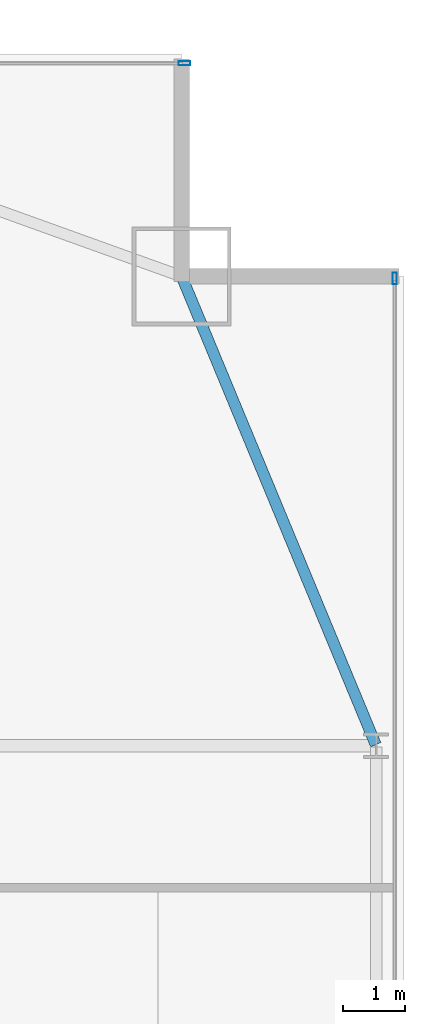
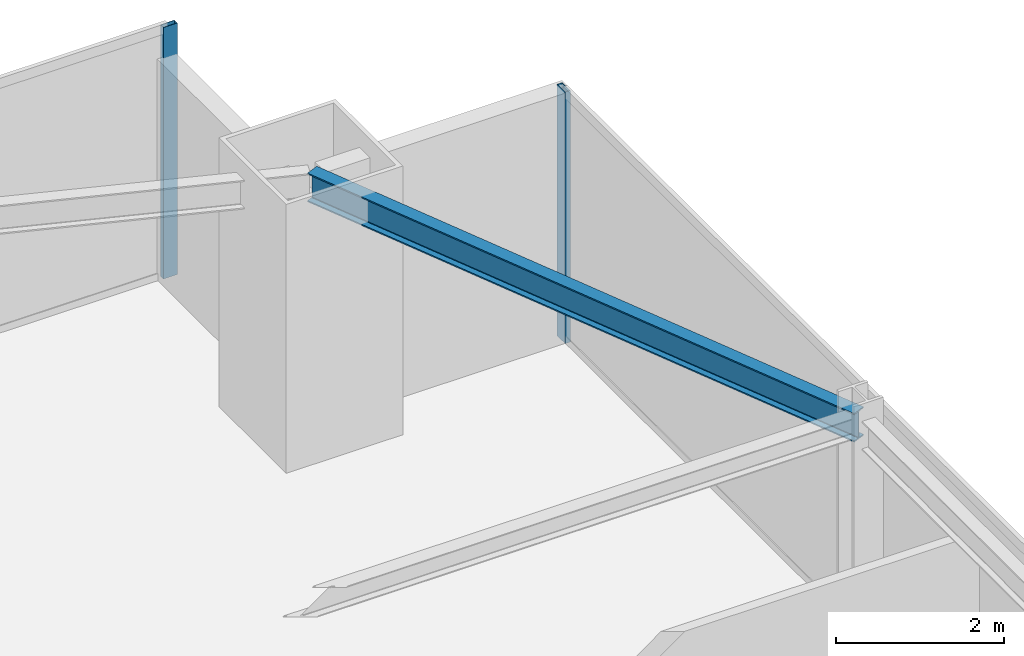
# One storey, part 23 of 34: 2 members, 1 beam, 2 elements without a shape of their own.
"""IFC4 building model written with IfcOpenShell, lengths in metres."""

from ifc_helpers import new_model, si_unit, direction, frame, origin, origin_2d, place, context, subcontext, project, spatial, hollow_rectangle, i_section, extrude, source, transform, mapped, material, layer, layer_set, material_profile, profile_set, type_object, type_shapes, element, aggregate, save


model = new_model("IFC4")

# Units and contexts
model_context = context("Model", 3, precision=1e-05, world=origin(), true_north=direction((0.0, 1.0)))
body_context = subcontext(model_context, "Body", "Model", "MODEL_VIEW")
ifc_project = project(units=[si_unit("LENGTHUNIT", "METRE"), si_unit("AREAUNIT", "SQUARE_METRE"), si_unit("VOLUMEUNIT", "CUBIC_METRE"), si_unit("PLANEANGLEUNIT", "RADIAN"), si_unit("MASSUNIT", "GRAM", prefix="KILO")], contexts=[model_context])

# Site, building, storey
site_placement = place(None, origin())
site = spatial("IfcSite", under=ifc_project, at=site_placement, CompositionType="ELEMENT")
building_placement = place(site_placement, origin())
building = spatial("IfcBuilding", under=site, at=building_placement, Name="Varnel Quay Broadcast Tower", CompositionType="ELEMENT")
storey_placement = place(building_placement, frame((0.0, 0.0, 47.10009765625)))
storey = spatial("IfcBuildingStorey", under=building, at=storey_placement, Name="L10", CompositionType="ELEMENT", Elevation=47.10009765625)

# Beam
ifc_material_1 = material(Name="Structural Steel CSA G40.21 350W", Category="steel")
ifc_material_profile_1 = material_profile(ifc_material_1, i_section(OverallWidth=0.180908203125, OverallDepth=0.4169921875, WebThickness=0.010986328125, FlangeThickness=0.018310546875, FilletRadius=0.011962890625, at=origin_2d()), Name="W410X85")
ifc_profile_set_1 = profile_set([ifc_material_profile_1], Name="Structural Steel CSA G40.21 350W")
beam_type = type_object("IfcBeamType", Name="Beam_W410X85", PredefinedType="SPANDREL", material=ifc_profile_set_1)
shared_shape_1 = source(origin(), body_context, "Body", "SweptSolid", [
    extrude(i_section(OverallWidth=0.180908203125, OverallDepth=0.4169921875, WebThickness=0.010986328125, FlangeThickness=0.018310546875, FilletRadius=0.011962890625, at=origin_2d()), origin(), (0.0, 0.0, 1.0), 8.186767578125),
])
type_shapes(beam_type, [shared_shape_1])
beam_placement = place(storey_placement, frame((65.542236328125, 35.618408203125, 3.44140625), z_axis=(-0.382874132092, 0.923800519038, 0.0), x_axis=(-0.923800519038, -0.382874132092, 0.0)))
element("IfcBeam", 1, at=beam_placement, inside=storey, type_object=beam_type, Name="L10 East Spandrel TC-E3-MC-NE", PredefinedType="SPANDREL", context=body_context, shape_type="MappedRepresentation", body=[
    mapped(shared_shape_1, transform((0.0, 0.0, 0.0), x_axis=(1.0, 0.0, 0.0), y_axis=(0.0, 1.0, 0.0), z_axis=(0.0, 0.0, 1.0), scale=1.0)),
])

# Curtain wall, member
ifc_material_2 = material(Name="Anodised Bronze Aluminium 6063-T6", Category="aluminium")
ifc_layer = layer(ifc_material_2, 0.18994140625, Name="Anodised Bronze Aluminium 6063-T6")
ifc_layer_set = layer_set([ifc_layer], Name="Anodised Bronze Aluminium 6063-T6")
curtain_wall_type = type_object("IfcCurtainWallType", Name="CW_LowerTower", PredefinedType="NOTDEFINED", material=ifc_layer_set)
curtain_wall_1_placement = place(storey_placement, origin())
curtain_wall_1 = element("IfcCurtainWall", 2, at=curtain_wall_1_placement, inside=storey, type_object=curtain_wall_type, Name="L10 East Unitised Curtain Wall", PredefinedType="NOTDEFINED")
ifc_material_profile_2 = material_profile(ifc_material_2, hollow_rectangle(XDim=0.070068359375, YDim=0.18994140625, WallThickness=0.00390625, at=origin_2d()), Name="ALU70X190X4")
ifc_profile_set_2 = profile_set([ifc_material_profile_2], Name="Anodised Bronze Aluminium 6063-T6")
member_type = type_object("IfcMemberType", Name="Mull_CWS-02", PredefinedType="MULLION", material=ifc_profile_set_2)
shared_shape_2 = source(origin(), body_context, "Body", "SweptSolid", [
    extrude(hollow_rectangle(XDim=0.070068359375, YDim=0.18994140625, WallThickness=0.00390625, at=origin_2d()), origin(), (0.0, 0.0, 1.0), 3.64990234375),
])
type_shapes(member_type, [shared_shape_2])
member_1_placement = place(storey_placement, frame((65.85009765625, 43.1650390625, 0.0), z_axis=(0.0, 0.0, 1.0), x_axis=(-1.0, 0.0, 0.0)))
member_1 = element("IfcMember", 3, at=member_1_placement, type_object=member_type, Name="CWS-02 mullion 4", PredefinedType="MULLION", context=body_context, shape_type="MappedRepresentation", body=[
    mapped(shared_shape_2, transform((0.0, 0.0, 0.0), x_axis=(1.0, 0.0, 0.0), y_axis=(0.0, 1.0, 0.0), z_axis=(0.0, 0.0, 1.0), scale=1.0)),
])
aggregate(curtain_wall_1, [member_1])

curtain_wall_2_placement = place(storey_placement, origin())
curtain_wall_2 = element("IfcCurtainWall", 4, at=curtain_wall_2_placement, inside=storey, type_object=curtain_wall_type, Name="L10 NE Wing Curtain Wall", PredefinedType="NOTDEFINED")
member_2_placement = place(storey_placement, frame((62.445068359375, 46.64990234375, 0.0), z_axis=(0.0, 0.0, 1.0), x_axis=(0.0, 1.0, 0.0)))
member_2 = element("IfcMember", 5, at=member_2_placement, type_object=member_type, Name="CWS-02 mullion 2", PredefinedType="MULLION", context=body_context, shape_type="MappedRepresentation", body=[
    mapped(shared_shape_2, transform((0.0, 0.0, 0.0), x_axis=(1.0, 0.0, 0.0), y_axis=(0.0, 1.0, 0.0), z_axis=(0.0, 0.0, 1.0), scale=1.0)),
])
aggregate(curtain_wall_2, [member_2])

save(model, "model.ifc")
